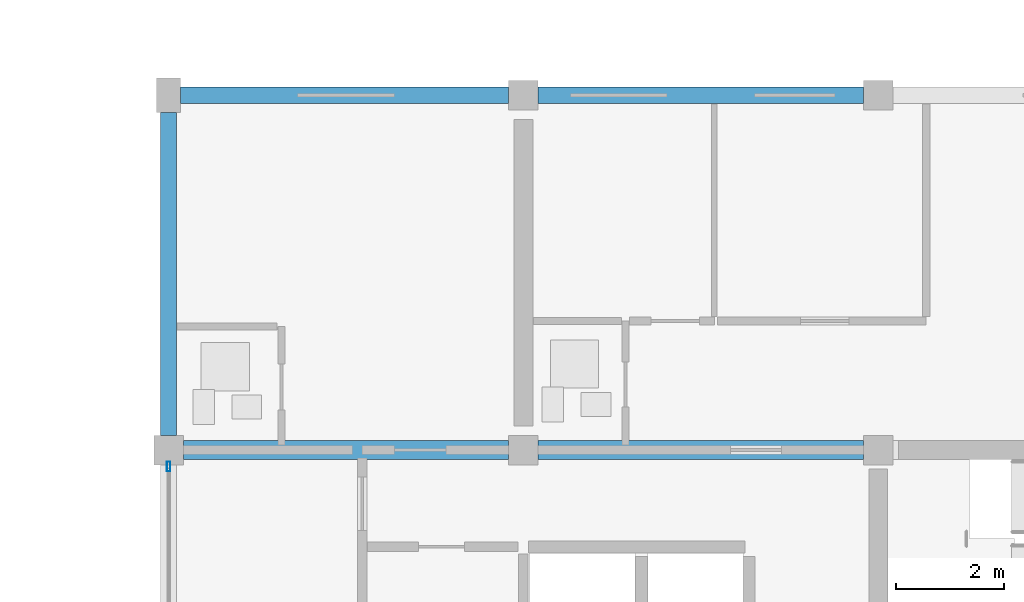
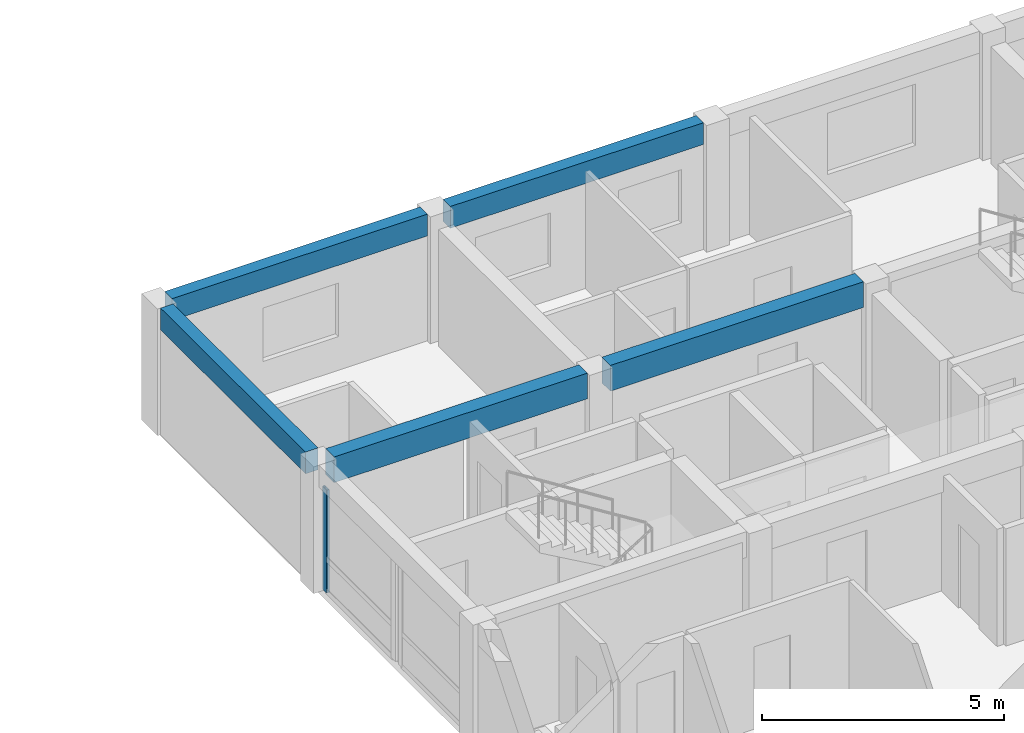
# One storey, part 20 of 51: 5 beams, 1 member, 1 element without a shape of its own.
"""IFC4 building model written with IfcOpenShell, lengths in metres."""

from ifc_helpers import new_model, si_unit, direction, frame, origin, origin_2d, place, context, subcontext, project, spatial, rectangle, hollow_rectangle, extrude, material, material_profile, profile_set, type_object, element, aggregate, save


model = new_model("IFC4")

# Units and contexts
model_context = context("Model", 3, precision=1e-05, world=origin(), true_north=direction((0.0, 1.0)))
body_context = subcontext(model_context, "Body", "Model", "MODEL_VIEW")
ifc_project = project(units=[si_unit("LENGTHUNIT", "METRE"), si_unit("AREAUNIT", "SQUARE_METRE"), si_unit("VOLUMEUNIT", "CUBIC_METRE"), si_unit("PLANEANGLEUNIT", "RADIAN"), si_unit("MASSUNIT", "GRAM", prefix="KILO")], contexts=[model_context])

# Site, building, storey
site_placement = place(None, origin())
site = spatial("IfcSite", under=ifc_project, at=site_placement, CompositionType="ELEMENT")
building_placement = place(site_placement, origin())
building = spatial("IfcBuilding", under=site, at=building_placement, Name="Kernevlak Ridge Housing Community", CompositionType="ELEMENT")
storey_placement = place(building_placement, frame((0.0, 0.0, 8.39990234375)))
storey = spatial("IfcBuildingStorey", under=building, at=storey_placement, Name="L02", CompositionType="ELEMENT", Elevation=8.39990234375)

# Beams
ifc_material_1 = material(Name="Concrete C35/45", Category="concrete")
ifc_material_profile_1 = material_profile(ifc_material_1, rectangle(XDim=0.35009765625, YDim=0.64990234375, at=origin_2d()), Name="RC 350x650")
ifc_profile_set_1 = profile_set([ifc_material_profile_1], Name="Concrete C35/45")
beam_type_1 = type_object("IfcBeamType", Name="B-02", PredefinedType="BEAM", material=ifc_profile_set_1)
for number, where, z_axis, x_axis, name in (
    (1, (119.675048828125, 95.800048828125, 2.875), (1.0, 0.0, 0.0), (0.0, 1.0, 0.0), "Beam B-02 L02 639"),
    (2, (126.27490234375, 95.800048828125, 2.875), (1.0, 0.0, 0.0), (0.0, 1.0, 0.0), "Beam B-02 L02 640"),
):
    element("IfcBeam", number, at=place(storey_placement, frame(where, z_axis=z_axis, x_axis=x_axis)), inside=storey, type_object=beam_type_1, Name=name, PredefinedType="BEAM", context=body_context, shape_type="SweptSolid", body=[
        extrude(rectangle(XDim=0.35009765625, YDim=0.64990234375, at=origin_2d()), origin(), (0.0, 0.0, 1.0), 6.050048828125),
    ])

# Curtain wall, member
ifc_material_2 = material(Name="Aluminium EN AW-6060 anodised and laminated glass", Category="aluminium")
curtain_wall_type = type_object("IfcCurtainWallType", Name="CW-09", PredefinedType="NOTDEFINED", material=ifc_material_2)
curtain_wall_placement = place(storey_placement, origin())
curtain_wall = element("IfcCurtainWall", 3, at=curtain_wall_placement, inside=storey, type_object=curtain_wall_type, Name="Curtain wall CW-09 CW-L02-062", PredefinedType="NOTDEFINED")
ifc_material_3 = material(Name="Aluminium EN AW-6060 anodised", Category="aluminium")
ifc_material_profile_2 = material_profile(ifc_material_3, hollow_rectangle(XDim=0.06494140625, YDim=0.179931640625, WallThickness=0.00439453125, InnerFilletRadius=0.001953125, OuterFilletRadius=0.00439453125, at=origin_2d()), Name="ALU 65x180x4.5")
ifc_profile_set_2 = profile_set([ifc_material_profile_2], Name="Aluminium EN AW-6060 anodised")
member_type = type_object("IfcMemberType", Name="MU-03", PredefinedType="MULLION", material=ifc_profile_set_2)
member_placement = place(storey_placement, frame((119.39990234375, 95.492431640625, 0.0), z_axis=(0.0, 0.0, 1.0), x_axis=(-1.0, 0.0, 0.0)))
member = element("IfcMember", 4, at=member_placement, type_object=member_type, Name="CW-09 mullion 2", PredefinedType="MULLION", context=body_context, shape_type="SweptSolid", body=[
    extrude(hollow_rectangle(XDim=0.06494140625, YDim=0.179931640625, WallThickness=0.00439453125, InnerFilletRadius=0.001953125, OuterFilletRadius=0.00439453125, at=origin_2d()), origin(), (0.0, 0.0, 1.0), 2.60009765625),
])
aggregate(curtain_wall, [member])

# Beams
ifc_material_profile_3 = material_profile(ifc_material_1, rectangle(XDim=0.300048828125, YDim=0.550048828125, at=origin_2d()), Name="RC 300x550")
ifc_profile_set_3 = profile_set([ifc_material_profile_3], Name="Concrete C35/45")
beam_type_2 = type_object("IfcBeamType", Name="SP-01", PredefinedType="SPANDREL", material=ifc_profile_set_3)
beam_1_placement = place(storey_placement, frame((119.625, 102.39990234375, 2.925048828125), z_axis=(1.0, 0.0, 0.0), x_axis=(0.0, 1.0, 0.0)))
element("IfcBeam", 5, at=beam_1_placement, inside=storey, type_object=beam_type_2, Name="Beam SP-01 L02 644", PredefinedType="SPANDREL", context=body_context, shape_type="SweptSolid", body=[
    extrude(rectangle(XDim=0.300048828125, YDim=0.550048828125, at=origin_2d()), origin(), (0.0, 0.0, 1.0), 6.10009765625),
])
beam_2_placement = place(storey_placement, frame((126.27490234375, 102.39990234375, 2.925048828125), z_axis=(1.0, 0.0, 0.0), x_axis=(0.0, 1.0, 0.0)))
element("IfcBeam", 6, at=beam_2_placement, inside=storey, type_object=beam_type_2, Name="Beam SP-01 L02 645", PredefinedType="SPANDREL", context=body_context, shape_type="SweptSolid", body=[
    extrude(rectangle(XDim=0.300048828125, YDim=0.550048828125, at=origin_2d()), origin(), (0.0, 0.0, 1.0), 6.050048828125),
])
beam_3_placement = place(storey_placement, frame((119.39990234375, 96.074951171875, 2.925048828125), z_axis=(0.0, 1.0, 0.0), x_axis=(-1.0, 0.0, 0.0)))
element("IfcBeam", 7, at=beam_3_placement, inside=storey, type_object=beam_type_2, Name="Beam SP-01 L02 651", PredefinedType="SPANDREL", context=body_context, shape_type="SweptSolid", body=[
    extrude(rectangle(XDim=0.300048828125, YDim=0.550048828125, at=origin_2d()), origin(), (0.0, 0.0, 1.0), 6.0),
])

save(model, "model.ifc")
